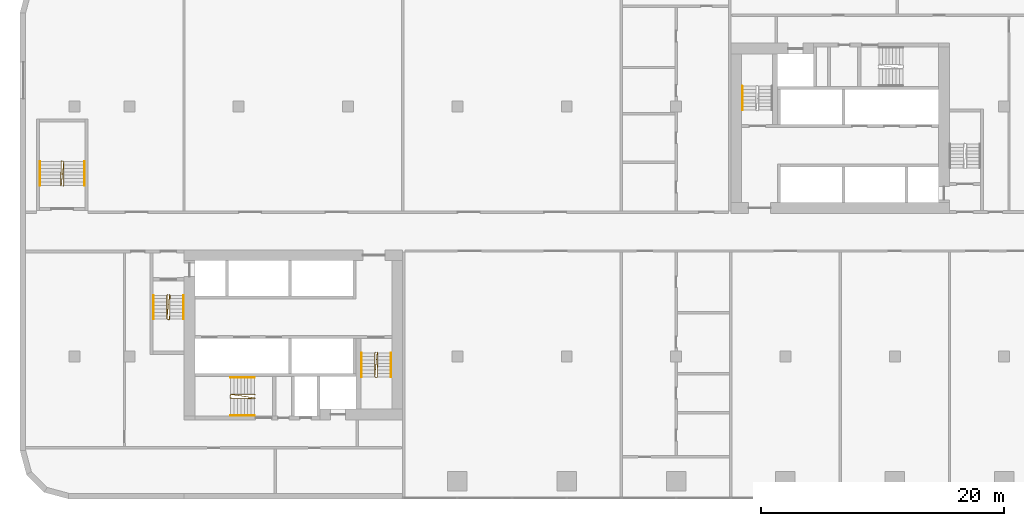
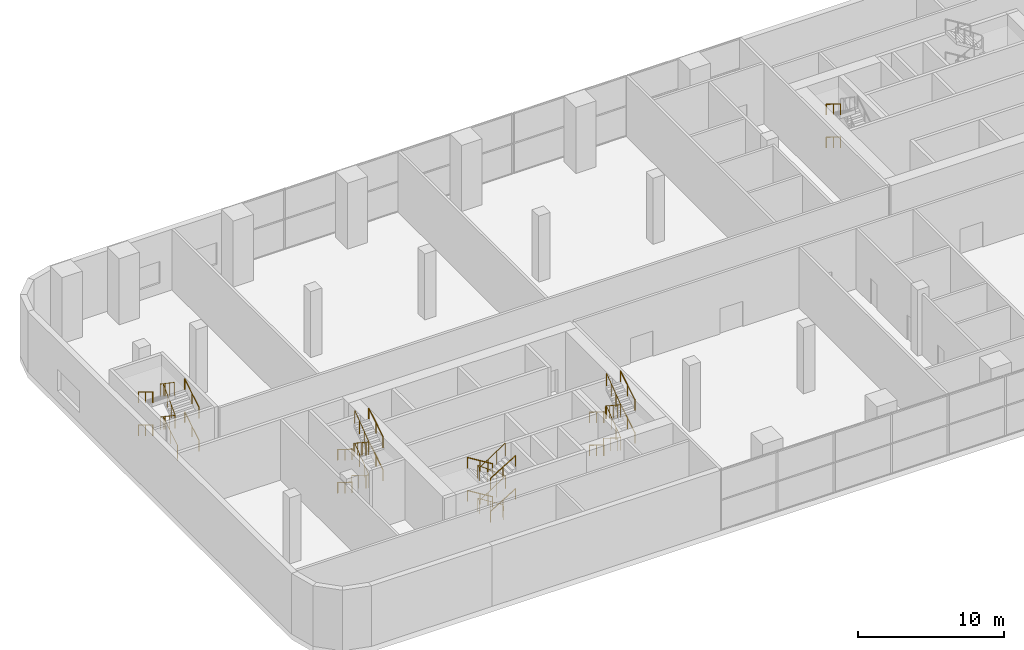
# One storey, part 20 of 21: 22 railings.
"""IFC4 building model written with IfcOpenShell, lengths in metres."""

import ifcopenshell
import ifcopenshell.guid

model = None  # the IFC model being written
_history = None  # IfcOwnerHistory: only IFC2X3 demands one
_inside = {}  # id of a spatial element -> (the spatial element, [elements in it])
_under = {}  # id of a project, library or spatial element -> (it, [spatial elements below it])
_declared = {}  # id of a project -> (the project, [libraries it declares])
_typed = {}  # id of a type object -> (the type object, [elements of that type])
_made_of = {}  # id of a material, layer set ... -> (it, [elements and type objects made of it])


def new_model(schema):
    """Start an empty IFC model of exactly this schema.

    Asked for "IFC4X3", IfcOpenShell would pick the latest addendum, in which some entities
    have other attributes; the version numbers below select the first issue.
    IFC2X3 requires an IfcOwnerHistory on every rooted entity: one is made here for all.
    """
    global model, _history
    if schema == "IFC4X3":
        model = ifcopenshell.file(schema_version=(4, 3, 0, 0))
    else:
        model = ifcopenshell.file(schema=schema)
    _inside.clear()
    _under.clear()
    _declared.clear()
    _typed.clear()
    _made_of.clear()
    _history = None
    if model.schema == "IFC2X3":
        org = make("IfcOrganization", Name="unknown")
        user = make(
            "IfcPersonAndOrganization",
            ThePerson=make("IfcPerson", FamilyName="unknown"),
            TheOrganization=org,
        )
        app = make(
            "IfcApplication",
            ApplicationDeveloper=org,
            Version="unknown",
            ApplicationFullName="unknown",
            ApplicationIdentifier="unknown",
        )
        _history = make(
            "IfcOwnerHistory",
            OwningUser=user,
            OwningApplication=app,
            ChangeAction="ADDED",
            CreationDate=0,
        )
    return model


def make(cls, **values):
    """One entity of the class cls with the attributes given. An attribute that is None is left unset."""
    return model.create_entity(
        cls, **{name: value for name, value in values.items() if value is not None}
    )


def rooted(cls, **values):
    """An entity with a GlobalId (a new one), such as an element, a storey or a relation."""
    return make(cls, GlobalId=ifcopenshell.guid.new(), OwnerHistory=_history, **values)


def si_unit(unit_type, name, prefix=None):
    """IfcSIUnit, for example si_unit("LENGTHUNIT", "METRE", prefix="MILLI")."""
    return make("IfcSIUnit", UnitType=unit_type, Prefix=prefix, Name=name)


def assignment(units):
    """IfcUnitAssignment: the units of a project."""
    return None if units is None else make("IfcUnitAssignment", Units=units)


def point(xyz):
    """IfcCartesianPoint."""
    return None if xyz is None else make("IfcCartesianPoint", Coordinates=xyz)


def direction(xyz):
    """IfcDirection."""
    return None if xyz is None else make("IfcDirection", DirectionRatios=xyz)


def frame(location, z_axis=None, x_axis=None):
    """IfcAxis2Placement3D, a coordinate frame: its origin and axes. An axis left out is left unset."""
    return make(
        "IfcAxis2Placement3D",
        Location=point(location),
        Axis=direction(z_axis),
        RefDirection=direction(x_axis),
    )


def frame_2d(location, x_axis=None):
    """IfcAxis2Placement2D, a coordinate frame in the plane: its origin and x axis."""
    return make(
        "IfcAxis2Placement2D", Location=point(location), RefDirection=direction(x_axis)
    )


def origin():
    """The frame at (0, 0, 0) with its axes left unset."""
    return frame((0.0, 0.0, 0.0))


def origin_2d():
    """The frame at (0, 0) in the plane with its x axis left unset."""
    return frame_2d((0.0, 0.0))


def place(relative_to, where):
    """IfcLocalPlacement: puts the frame where relative to a parent placement (None: the world)."""
    return make(
        "IfcLocalPlacement", PlacementRelTo=relative_to, RelativePlacement=where
    )


def context(
    kind, dimensions, precision=None, world=None, true_north=None, identifier=None
):
    """IfcGeometricRepresentationContext, for example the 3D "Model" context."""
    return make(
        "IfcGeometricRepresentationContext",
        ContextIdentifier=identifier,
        ContextType=kind,
        CoordinateSpaceDimension=dimensions,
        Precision=precision,
        WorldCoordinateSystem=world,
        TrueNorth=true_north,
    )


def subcontext(parent, identifier, kind, view, scale=None):
    """IfcGeometricRepresentationSubContext, for example "Body" below "Model"."""
    return make(
        "IfcGeometricRepresentationSubContext",
        ContextIdentifier=identifier,
        ContextType=kind,
        ParentContext=parent,
        TargetScale=scale,
        TargetView=view,
    )


def project(units=None, contexts=None):
    """IfcProject with its units and contexts."""
    return rooted(
        "IfcProject",
        Name="project",
        RepresentationContexts=contexts,
        UnitsInContext=assignment(units),
    )


def spatial(cls, under=None, at=None, **own):
    """A site, building, storey or space (cls), placed at a placement, below another one or the project."""
    s = rooted(cls, ObjectPlacement=at, **own)
    if under is not None:
        _under.setdefault(under.id(), (under, []))[1].append(s)
    return s


def profile(cls, at=None, kind="AREA", **sizes):
    """A parametric profile (cls). Its sizes go by their IFC names, for example OverallWidth=200.0."""
    return make(cls, ProfileType=kind, Position=at, **sizes)


def circle(**sizes):
    """IfcCircleProfileDef."""
    return profile("IfcCircleProfileDef", **sizes)


def extrude(swept, where, along, depth):
    """IfcExtrudedAreaSolid: the profile swept, set in the frame where, extruded along a direction by depth."""
    return make(
        "IfcExtrudedAreaSolid",
        SweptArea=swept,
        Position=where,
        ExtrudedDirection=direction(along),
        Depth=depth,
    )


def shape(context_of_items, identifier, shape_type, items):
    """IfcShapeRepresentation: the items that make up one representation, for example the "Body"."""
    return make(
        "IfcShapeRepresentation",
        ContextOfItems=context_of_items,
        RepresentationIdentifier=identifier,
        RepresentationType=shape_type,
        Items=items,
    )


def material(Name=None, Category=None):
    """IfcMaterial."""
    return make("IfcMaterial", Name=Name, Category=Category)


def made_of(thing, what):
    """Note that an element or type object is made of a material, layer set ...; save() writes the relation."""
    if what is not None:
        _made_of.setdefault(what.id(), (what, []))[1].append(thing)
    return thing


def type_object(cls, material=None, **own):
    """A type object (cls), such as IfcWallType, which elements share."""
    return made_of(rooted(cls, **own), material)


def element(
    cls,
    number,
    at=None,
    inside=None,
    cuts=None,
    type_object=None,
    material=None,
    context=None,
    identifier="Body",
    shape_type=None,
    held_by="IfcProductDefinitionShape",
    body=None,
    shapes=None,
    **own,
):
    """One element of the class cls, such as IfcWall. Its Tag is "e" and its number.

    at: its placement. inside: the storey or other place that contains it. cuts: it is an
    opening in that element (IfcRelVoidsElement). A single representation is given by context,
    identifier, shape_type and body (its items); several are given by shapes. held_by: the class
    of the entity that holds the representations. save() writes the other relations.
    """
    e = rooted(cls, Tag="e%d" % number, ObjectPlacement=at, **own)
    if body is not None:
        shapes = [shape(context, identifier, shape_type, body)]
    if shapes is not None:
        e.Representation = make(held_by, Representations=shapes)
    if inside is not None:
        _inside.setdefault(inside.id(), (inside, []))[1].append(e)
    if cuts is not None:
        rooted(
            "IfcRelVoidsElement", RelatingBuildingElement=cuts, RelatedOpeningElement=e
        )
    if type_object is not None:
        _typed.setdefault(type_object.id(), (type_object, []))[1].append(e)
    return made_of(e, material)


def aggregate(whole, parts):
    """IfcRelAggregates: a whole, such as a stair, and the parts it consists of."""
    return rooted("IfcRelAggregates", RelatingObject=whole, RelatedObjects=parts)


def save(model, path):
    """Write the relations noted so far, then the file.

    IfcRelAggregates (storeys below a building ...), IfcRelContainedInSpatialStructure (elements
    in a storey), IfcRelDefinesByType, IfcRelAssociatesMaterial and IfcRelDeclares: one each for
    every whole, place, type object, material and project.
    """
    for whole, parts in _under.values():
        aggregate(whole, parts)
    for where, things in _inside.values():
        rooted(
            "IfcRelContainedInSpatialStructure",
            RelatedElements=things,
            RelatingStructure=where,
        )
    for kind, things in _typed.values():
        rooted("IfcRelDefinesByType", RelatedObjects=things, RelatingType=kind)
    for what, things in _made_of.values():
        rooted("IfcRelAssociatesMaterial", RelatedObjects=things, RelatingMaterial=what)
    for by, libraries in _declared.values():
        rooted("IfcRelDeclares", RelatingContext=by, RelatedDefinitions=libraries)
    model.write(path)


model = new_model("IFC4")

# Units and contexts
model_context = context("Model", 3, precision=1e-05, world=origin(), true_north=direction((0.0, 1.0)))
body_context = subcontext(model_context, "Body", "Model", "MODEL_VIEW")
ifc_project = project(units=[si_unit("LENGTHUNIT", "METRE"), si_unit("AREAUNIT", "SQUARE_METRE"), si_unit("VOLUMEUNIT", "CUBIC_METRE"), si_unit("PLANEANGLEUNIT", "RADIAN"), si_unit("MASSUNIT", "GRAM", prefix="KILO")], contexts=[model_context])

# Site, building, storey
site_placement = place(None, origin())
site = spatial("IfcSite", under=ifc_project, at=site_placement, CompositionType="ELEMENT")
building_placement = place(site_placement, origin())
building = spatial("IfcBuilding", under=site, at=building_placement, Name="Kajstack Hotel Tower", CompositionType="ELEMENT")
storey_placement = place(building_placement, frame((0.0, 0.0, 23.5)))
storey = spatial("IfcBuildingStorey", under=building, at=storey_placement, Name="L03", CompositionType="ELEMENT", Elevation=23.5)

# Railings
ifc_material = material(Name="Steel S355J2", Category="steel")
railing_type_1 = type_object("IfcRailingType", Name="Stair guard 1100", PredefinedType="GUARDRAIL", material=ifc_material)
railing_1_placement = place(storey_placement, frame((-32.85009765625, -5.199951171875, 0.0)))
element("IfcRailing", 1, at=railing_1_placement, inside=storey, type_object=railing_type_1, Name="L03 W1 stair guard 1", PredefinedType="GUARDRAIL", context=body_context, shape_type="SweptSolid", body=[
    extrude(circle(Radius=0.02392578125, at=origin_2d()), frame((0.0, 0.0, 1.076171875), z_axis=(-0.268036860282, -0.26935076646, 0.924989949209), x_axis=(0.708833529934, -0.705375805398, 0.0)), (0.0, 0.0, 1.0), 0.185791015625),
    extrude(circle(Radius=0.02392578125, at=origin_2d()), frame((-0.0498046875, -0.050048828125, 1.248046875), z_axis=(0.0, -0.852240978134, 0.523149419562), x_axis=(1.0, 0.0, 0.0)), (0.0, 0.0, 1.0), 2.2998046875),
    extrude(circle(Radius=0.02392578125, at=origin_2d()), frame((-0.0498046875, -2.010009765625, 2.451171875), z_axis=(0.970072785993, -0.242814311512, 0.0), x_axis=(0.242814311512, 0.970072785993, 0.0)), (0.0, 0.0, 1.0), 0.2060546875),
    extrude(circle(Radius=0.02392578125, at=origin_2d()), frame((0.150146484375, -2.06005859375, 2.451171875), z_axis=(0.0205469275, 0.825184654201, 0.564489247232), x_axis=(-0.999690144217, 0.024892078169, 0.0)), (0.0, 0.0, 1.0), 2.435791015625),
    extrude(circle(Radius=0.02392578125, at=origin_2d()), frame((0.2001953125, -0.050048828125, 3.826171875), z_axis=(-0.707106781187, 0.707106781187, 0.0), x_axis=(-0.707106781187, -0.707106781187, 0.0)), (0.0, 0.0, 1.0), 0.07080078125),
    extrude(circle(Radius=0.02392578125, at=origin_2d()), frame((0.150146484375, 0.0, 3.826171875), z_axis=(-0.081829463127, -0.822590927871, 0.562714940577), x_axis=(0.995088514891, -0.098989128349, 0.0)), (0.0, 0.0, 1.0), 2.443603515625),
    extrude(circle(Radius=0.02392578125, at=origin_2d()), frame((-0.0498046875, -2.010009765625, 5.201171875), z_axis=(0.970072785993, -0.242814311512, 0.0), x_axis=(0.242814311512, 0.970072785993, 0.0)), (0.0, 0.0, 1.0), 0.2060546875),
    extrude(circle(Radius=0.02392578125, at=origin_2d()), frame((0.150146484375, -2.06005859375, 5.201171875), z_axis=(0.0205469275, 0.825184654201, 0.564489247232), x_axis=(-0.999690144217, 0.024892078169, 0.0)), (0.0, 0.0, 1.0), 2.435791015625),
    extrude(circle(Radius=0.02099609375, at=origin_2d()), origin(), (0.0, 0.0, 1.0), 1.052001953125),
    extrude(circle(Radius=0.02099609375, at=origin_2d()), frame((-0.0498046875, -0.050048828125, 0.171875)), (0.0, 0.0, 1.0), 1.052001953125),
    extrude(circle(Radius=0.02099609375, at=origin_2d()), frame((-0.0498046875, -1.030029296875, 0.7734375)), (0.0, 0.0, 1.0), 1.052001953125),
    extrude(circle(Radius=0.02099609375, at=origin_2d()), frame((-0.0498046875, -2.010009765625, 1.375)), (0.0, 0.0, 1.0), 1.052001953125),
    extrude(circle(Radius=0.02099609375, at=origin_2d()), frame((0.150146484375, -2.06005859375, 1.375)), (0.0, 0.0, 1.0), 1.052001953125),
    extrude(circle(Radius=0.02099609375, at=origin_2d()), frame((0.166748046875, -1.39013671875, 1.833251953125)), (0.0, 0.0, 1.0), 1.052001953125),
    extrude(circle(Radius=0.02099609375, at=origin_2d()), frame((0.18359375, -0.719970703125, 2.291748046875)), (0.0, 0.0, 1.0), 1.052001953125),
    extrude(circle(Radius=0.02099609375, at=origin_2d()), frame((0.2001953125, -0.050048828125, 2.75)), (0.0, 0.0, 1.0), 1.052001953125),
    extrude(circle(Radius=0.02099609375, at=origin_2d()), frame((0.150146484375, 0.0, 2.75)), (0.0, 0.0, 1.0), 1.052001953125),
    extrude(circle(Radius=0.02099609375, at=origin_2d()), frame((0.08349609375, -0.669921875, 3.208251953125)), (0.0, 0.0, 1.0), 1.052001953125),
    extrude(circle(Radius=0.02099609375, at=origin_2d()), frame((0.016845703125, -1.340087890625, 3.666748046875)), (0.0, 0.0, 1.0), 1.052001953125),
    extrude(circle(Radius=0.02099609375, at=origin_2d()), frame((-0.0498046875, -2.010009765625, 4.125)), (0.0, 0.0, 1.0), 1.052001953125),
    extrude(circle(Radius=0.02099609375, at=origin_2d()), frame((0.150146484375, -2.06005859375, 4.125)), (0.0, 0.0, 1.0), 1.052001953125),
    extrude(circle(Radius=0.02099609375, at=origin_2d()), frame((0.166748046875, -1.39013671875, 4.583251953125)), (0.0, 0.0, 1.0), 1.052001953125),
    extrude(circle(Radius=0.02099609375, at=origin_2d()), frame((0.18359375, -0.719970703125, 5.041748046875)), (0.0, 0.0, 1.0), 1.052001953125),
    extrude(circle(Radius=0.02099609375, at=origin_2d()), frame((0.2001953125, -0.050048828125, 5.5)), (0.0, 0.0, 1.0), 1.052001953125),
])
railing_2_placement = place(storey_placement, frame((-15.75, -9.949951171875, 0.0)))
element("IfcRailing", 2, at=railing_2_placement, inside=storey, type_object=railing_type_1, Name="L03 W2 stair guard 1", PredefinedType="GUARDRAIL", context=body_context, shape_type="SweptSolid", body=[
    extrude(circle(Radius=0.02392578125, at=origin_2d()), frame((0.0, 0.0, 1.076171875), z_axis=(-0.269255725606, -0.269255725606, 0.92466356501), x_axis=(0.707106781187, -0.707106781187, 0.0)), (0.0, 0.0, 1.0), 0.185791015625),
    extrude(circle(Radius=0.02392578125, at=origin_2d()), frame((-0.050048828125, -0.050048828125, 1.248046875), z_axis=(0.0, -0.852240978134, 0.523149419562), x_axis=(1.0, 0.0, 0.0)), (0.0, 0.0, 1.0), 2.2998046875),
    extrude(circle(Radius=0.02392578125, at=origin_2d()), frame((-0.050048828125, -2.010009765625, 2.451171875), z_axis=(0.970072785993, -0.242814311512, 0.0), x_axis=(0.242814311512, 0.970072785993, 0.0)), (0.0, 0.0, 1.0), 0.2060546875),
    extrude(circle(Radius=0.02392578125, at=origin_2d()), frame((0.14990234375, -2.06005859375, 2.451171875), z_axis=(0.0205469275, 0.825184654201, 0.564489247232), x_axis=(-0.999690144217, 0.024892078169, 0.0)), (0.0, 0.0, 1.0), 2.435791015625),
    extrude(circle(Radius=0.02392578125, at=origin_2d()), frame((0.199951171875, -0.050048828125, 3.826171875), z_axis=(-0.707106781187, 0.707106781187, 0.0), x_axis=(-0.707106781187, -0.707106781187, 0.0)), (0.0, 0.0, 1.0), 0.07080078125),
    extrude(circle(Radius=0.02392578125, at=origin_2d()), frame((0.14990234375, 0.0, 3.826171875), z_axis=(-0.081829463127, -0.822590927871, 0.562714940577), x_axis=(0.995088514891, -0.098989128349, 0.0)), (0.0, 0.0, 1.0), 2.443603515625),
    extrude(circle(Radius=0.02392578125, at=origin_2d()), frame((-0.050048828125, -2.010009765625, 5.201171875), z_axis=(0.970072785993, -0.242814311512, 0.0), x_axis=(0.242814311512, 0.970072785993, 0.0)), (0.0, 0.0, 1.0), 0.2060546875),
    extrude(circle(Radius=0.02392578125, at=origin_2d()), frame((0.14990234375, -2.06005859375, 5.201171875), z_axis=(0.0205469275, 0.825184654201, 0.564489247232), x_axis=(-0.999690144217, 0.024892078169, 0.0)), (0.0, 0.0, 1.0), 2.435791015625),
    extrude(circle(Radius=0.02099609375, at=origin_2d()), origin(), (0.0, 0.0, 1.0), 1.052001953125),
    extrude(circle(Radius=0.02099609375, at=origin_2d()), frame((-0.050048828125, -0.050048828125, 0.171875)), (0.0, 0.0, 1.0), 1.052001953125),
    extrude(circle(Radius=0.02099609375, at=origin_2d()), frame((-0.050048828125, -1.030029296875, 0.7734375)), (0.0, 0.0, 1.0), 1.052001953125),
    extrude(circle(Radius=0.02099609375, at=origin_2d()), frame((-0.050048828125, -2.010009765625, 1.375)), (0.0, 0.0, 1.0), 1.052001953125),
    extrude(circle(Radius=0.02099609375, at=origin_2d()), frame((0.14990234375, -2.06005859375, 1.375)), (0.0, 0.0, 1.0), 1.052001953125),
    extrude(circle(Radius=0.02099609375, at=origin_2d()), frame((0.16650390625, -1.39013671875, 1.833251953125)), (0.0, 0.0, 1.0), 1.052001953125),
    extrude(circle(Radius=0.02099609375, at=origin_2d()), frame((0.183349609375, -0.719970703125, 2.291748046875)), (0.0, 0.0, 1.0), 1.052001953125),
    extrude(circle(Radius=0.02099609375, at=origin_2d()), frame((0.199951171875, -0.050048828125, 2.75)), (0.0, 0.0, 1.0), 1.052001953125),
    extrude(circle(Radius=0.02099609375, at=origin_2d()), frame((0.14990234375, 0.0, 2.75)), (0.0, 0.0, 1.0), 1.052001953125),
    extrude(circle(Radius=0.02099609375, at=origin_2d()), frame((0.083251953125, -0.669921875, 3.208251953125)), (0.0, 0.0, 1.0), 1.052001953125),
    extrude(circle(Radius=0.02099609375, at=origin_2d()), frame((0.0166015625, -1.340087890625, 3.666748046875)), (0.0, 0.0, 1.0), 1.052001953125),
    extrude(circle(Radius=0.02099609375, at=origin_2d()), frame((-0.050048828125, -2.010009765625, 4.125)), (0.0, 0.0, 1.0), 1.052001953125),
    extrude(circle(Radius=0.02099609375, at=origin_2d()), frame((0.14990234375, -2.06005859375, 4.125)), (0.0, 0.0, 1.0), 1.052001953125),
    extrude(circle(Radius=0.02099609375, at=origin_2d()), frame((0.16650390625, -1.39013671875, 4.583251953125)), (0.0, 0.0, 1.0), 1.052001953125),
    extrude(circle(Radius=0.02099609375, at=origin_2d()), frame((0.183349609375, -0.719970703125, 5.041748046875)), (0.0, 0.0, 1.0), 1.052001953125),
    extrude(circle(Radius=0.02099609375, at=origin_2d()), frame((0.199951171875, -0.050048828125, 5.5)), (0.0, 0.0, 1.0), 1.052001953125),
])
railing_3_placement = place(storey_placement, frame((-25.64990234375, -13.449951171875, 0.0)))
element("IfcRailing", 3, at=railing_3_placement, inside=storey, type_object=railing_type_1, Name="L03 W3 stair guard 1", PredefinedType="GUARDRAIL", context=body_context, shape_type="SweptSolid", body=[
    extrude(circle(Radius=0.02392578125, at=origin_2d()), frame((0.0, 0.0, 1.076171875), z_axis=(-0.269255725606, 0.269255725606, 0.92466356501), x_axis=(-0.707106781187, -0.707106781187, 0.0)), (0.0, 0.0, 1.0), 0.185791015625),
    extrude(circle(Radius=0.02392578125, at=origin_2d()), frame((-0.050048828125, 0.050048828125, 1.248046875), z_axis=(-0.852240978134, 0.0, 0.523149419562), x_axis=(0.0, -1.0, 0.0)), (0.0, 0.0, 1.0), 2.2998046875),
    extrude(circle(Radius=0.02392578125, at=origin_2d()), frame((-2.010009765625, 0.050048828125, 2.451171875), z_axis=(-0.164529134168, -0.986372223864, 0.0), x_axis=(0.986372223864, -0.164529134168, 0.0)), (0.0, 0.0, 1.0), 0.30419921875),
    extrude(circle(Radius=0.02392578125, at=origin_2d()), frame((-2.06005859375, -0.25, 2.451171875), z_axis=(0.825184654201, -0.0205469275, 0.564489247232), x_axis=(0.024892078169, 0.999690144217, 0.0)), (0.0, 0.0, 1.0), 2.435791015625),
    extrude(circle(Radius=0.02392578125, at=origin_2d()), frame((-0.050048828125, -0.300048828125, 3.826171875), z_axis=(0.707106781187, 0.707106781187, 0.0), x_axis=(-0.707106781187, 0.707106781187, 0.0)), (0.0, 0.0, 1.0), 0.07080078125),
    extrude(circle(Radius=0.02392578125, at=origin_2d()), frame((0.0, -0.25, 3.826171875), z_axis=(-0.819164832413, 0.122282713353, 0.560371229947), x_axis=(-0.147641363338, -0.989040963677, 0.0)), (0.0, 0.0, 1.0), 2.45361328125),
    extrude(circle(Radius=0.02392578125, at=origin_2d()), frame((-2.010009765625, 0.050048828125, 5.201171875), z_axis=(-0.164529134168, -0.986372223864, 0.0), x_axis=(0.986372223864, -0.164529134168, 0.0)), (0.0, 0.0, 1.0), 0.30419921875),
    extrude(circle(Radius=0.02392578125, at=origin_2d()), frame((-2.06005859375, -0.25, 5.201171875), z_axis=(0.825184654201, -0.0205469275, 0.564489247232), x_axis=(0.024892078169, 0.999690144217, 0.0)), (0.0, 0.0, 1.0), 2.435791015625),
    extrude(circle(Radius=0.02099609375, at=origin_2d()), origin(), (0.0, 0.0, 1.0), 1.052001953125),
    extrude(circle(Radius=0.02099609375, at=origin_2d()), frame((-0.050048828125, 0.050048828125, 0.171875)), (0.0, 0.0, 1.0), 1.052001953125),
    extrude(circle(Radius=0.02099609375, at=origin_2d()), frame((-1.030029296875, 0.050048828125, 0.7734375)), (0.0, 0.0, 1.0), 1.052001953125),
    extrude(circle(Radius=0.02099609375, at=origin_2d()), frame((-2.010009765625, 0.050048828125, 1.375)), (0.0, 0.0, 1.0), 1.052001953125),
    extrude(circle(Radius=0.02099609375, at=origin_2d()), frame((-2.06005859375, -0.25, 1.375)), (0.0, 0.0, 1.0), 1.052001953125),
    extrude(circle(Radius=0.02099609375, at=origin_2d()), frame((-1.39013671875, -0.2666015625, 1.833251953125)), (0.0, 0.0, 1.0), 1.052001953125),
    extrude(circle(Radius=0.02099609375, at=origin_2d()), frame((-0.719970703125, -0.283447265625, 2.291748046875)), (0.0, 0.0, 1.0), 1.052001953125),
    extrude(circle(Radius=0.02099609375, at=origin_2d()), frame((-0.050048828125, -0.300048828125, 2.75)), (0.0, 0.0, 1.0), 1.052001953125),
    extrude(circle(Radius=0.02099609375, at=origin_2d()), frame((0.0, -0.25, 2.75)), (0.0, 0.0, 1.0), 1.052001953125),
    extrude(circle(Radius=0.02099609375, at=origin_2d()), frame((-0.669921875, -0.14990234375, 3.208251953125)), (0.0, 0.0, 1.0), 1.052001953125),
    extrude(circle(Radius=0.02099609375, at=origin_2d()), frame((-1.340087890625, -0.050048828125, 3.666748046875)), (0.0, 0.0, 1.0), 1.052001953125),
    extrude(circle(Radius=0.02099609375, at=origin_2d()), frame((-2.010009765625, 0.050048828125, 4.125)), (0.0, 0.0, 1.0), 1.052001953125),
    extrude(circle(Radius=0.02099609375, at=origin_2d()), frame((-2.06005859375, -0.25, 4.125)), (0.0, 0.0, 1.0), 1.052001953125),
    extrude(circle(Radius=0.02099609375, at=origin_2d()), frame((-1.39013671875, -0.2666015625, 4.583251953125)), (0.0, 0.0, 1.0), 1.052001953125),
    extrude(circle(Radius=0.02099609375, at=origin_2d()), frame((-0.719970703125, -0.283447265625, 5.041748046875)), (0.0, 0.0, 1.0), 1.052001953125),
    extrude(circle(Radius=0.02099609375, at=origin_2d()), frame((-0.050048828125, -0.300048828125, 5.5)), (0.0, 0.0, 1.0), 1.052001953125),
])
railing_4_placement = place(storey_placement, frame((-41.449951171875, 3.75, 0.0)))
element("IfcRailing", 4, at=railing_4_placement, inside=storey, type_object=railing_type_1, Name="L03 P1 stair guard 1", PredefinedType="GUARDRAIL", context=body_context, shape_type="SweptSolid", body=[
    extrude(circle(Radius=0.02392578125, at=origin_2d()), frame((0.0, 0.0, 1.076171875), z_axis=(0.269255725606, 0.269255725606, 0.92466356501), x_axis=(-0.707106781187, 0.707106781187, 0.0)), (0.0, 0.0, 1.0), 0.185791015625),
    extrude(circle(Radius=0.02392578125, at=origin_2d()), frame((0.050048828125, 0.050048828125, 1.248046875), z_axis=(0.0, 0.852240978134, 0.523149419562), x_axis=(-1.0, 0.0, 0.0)), (0.0, 0.0, 1.0), 2.2998046875),
    extrude(circle(Radius=0.02392578125, at=origin_2d()), frame((0.050048828125, 2.010009765625, 2.451171875), z_axis=(-0.970142500145, 0.242535625036, 0.0), x_axis=(-0.242535625036, -0.970142500145, 0.0)), (0.0, 0.0, 1.0), 0.206298828125),
    extrude(circle(Radius=0.02392578125, at=origin_2d()), frame((-0.150146484375, 2.06005859375, 2.451171875), z_axis=(-0.020446740591, -0.825186349444, 0.564490406907), x_axis=(0.999693158439, -0.024770728085, 0.0)), (0.0, 0.0, 1.0), 2.435791015625),
    extrude(circle(Radius=0.02392578125, at=origin_2d()), frame((-0.199951171875, 0.050048828125, 3.826171875), z_axis=(0.705375805398, -0.708833529934, 0.0), x_axis=(0.708833529934, 0.705375805398, 0.0)), (0.0, 0.0, 1.0), 0.070556640625),
    extrude(circle(Radius=0.02392578125, at=origin_2d()), frame((-0.150146484375, 0.0, 3.826171875), z_axis=(0.081928706755, 0.822584198428, 0.562710337124), x_axis=(-0.995076602195, 0.099108807701, 0.0)), (0.0, 0.0, 1.0), 2.443603515625),
    extrude(circle(Radius=0.02392578125, at=origin_2d()), frame((0.050048828125, 2.010009765625, 5.201171875), z_axis=(-0.970142500145, 0.242535625036, 0.0), x_axis=(-0.242535625036, -0.970142500145, 0.0)), (0.0, 0.0, 1.0), 0.206298828125),
    extrude(circle(Radius=0.02392578125, at=origin_2d()), frame((-0.150146484375, 2.06005859375, 5.201171875), z_axis=(-0.020446740591, -0.825186349444, 0.564490406907), x_axis=(0.999693158439, -0.024770728085, 0.0)), (0.0, 0.0, 1.0), 2.435791015625),
    extrude(circle(Radius=0.02099609375, at=origin_2d()), origin(), (0.0, 0.0, 1.0), 1.052001953125),
    extrude(circle(Radius=0.02099609375, at=origin_2d()), frame((0.050048828125, 0.050048828125, 0.171875)), (0.0, 0.0, 1.0), 1.052001953125),
    extrude(circle(Radius=0.02099609375, at=origin_2d()), frame((0.050048828125, 1.030029296875, 0.7734375)), (0.0, 0.0, 1.0), 1.052001953125),
    extrude(circle(Radius=0.02099609375, at=origin_2d()), frame((0.050048828125, 2.010009765625, 1.375)), (0.0, 0.0, 1.0), 1.052001953125),
    extrude(circle(Radius=0.02099609375, at=origin_2d()), frame((-0.150146484375, 2.06005859375, 1.375)), (0.0, 0.0, 1.0), 1.052001953125),
    extrude(circle(Radius=0.02099609375, at=origin_2d()), frame((-0.166748046875, 1.39013671875, 1.833251953125)), (0.0, 0.0, 1.0), 1.052001953125),
    extrude(circle(Radius=0.02099609375, at=origin_2d()), frame((-0.183349609375, 0.719970703125, 2.291748046875)), (0.0, 0.0, 1.0), 1.052001953125),
    extrude(circle(Radius=0.02099609375, at=origin_2d()), frame((-0.199951171875, 0.050048828125, 2.75)), (0.0, 0.0, 1.0), 1.052001953125),
    extrude(circle(Radius=0.02099609375, at=origin_2d()), frame((-0.150146484375, 0.0, 2.75)), (0.0, 0.0, 1.0), 1.052001953125),
    extrude(circle(Radius=0.02099609375, at=origin_2d()), frame((-0.08349609375, 0.669921875, 3.208251953125)), (0.0, 0.0, 1.0), 1.052001953125),
    extrude(circle(Radius=0.02099609375, at=origin_2d()), frame((-0.0166015625, 1.340087890625, 3.666748046875)), (0.0, 0.0, 1.0), 1.052001953125),
    extrude(circle(Radius=0.02099609375, at=origin_2d()), frame((0.050048828125, 2.010009765625, 4.125)), (0.0, 0.0, 1.0), 1.052001953125),
    extrude(circle(Radius=0.02099609375, at=origin_2d()), frame((-0.150146484375, 2.06005859375, 4.125)), (0.0, 0.0, 1.0), 1.052001953125),
    extrude(circle(Radius=0.02099609375, at=origin_2d()), frame((-0.166748046875, 1.39013671875, 4.583251953125)), (0.0, 0.0, 1.0), 1.052001953125),
    extrude(circle(Radius=0.02099609375, at=origin_2d()), frame((-0.183349609375, 0.719970703125, 5.041748046875)), (0.0, 0.0, 1.0), 1.052001953125),
    extrude(circle(Radius=0.02099609375, at=origin_2d()), frame((-0.199951171875, 0.050048828125, 5.5)), (0.0, 0.0, 1.0), 1.052001953125),
])
railing_type_2 = type_object("IfcRailingType", Name="Stair handrail 900", PredefinedType="HANDRAIL", material=ifc_material)
railing_5_placement = place(storey_placement, frame((-34.0, -5.25, 0.171875)))
element("IfcRailing", 5, at=railing_5_placement, inside=storey, type_object=railing_type_2, Name="L03 W1 stair handrail 1", PredefinedType="HANDRAIL", context=body_context, shape_type="SweptSolid", body=[
    extrude(circle(Radius=0.02392578125, at=origin_2d()), frame((0.0, 0.0, 0.8759765625), z_axis=(0.0, -0.852240978134, 0.523149419562), x_axis=(1.0, 0.0, 0.0)), (0.0, 0.0, 1.0), 2.2998046875),
    extrude(circle(Radius=0.02099609375, at=origin_2d()), origin(), (0.0, 0.0, 1.0), 0.851806640625),
    extrude(circle(Radius=0.02099609375, at=origin_2d()), frame((0.0, -0.97998046875, 0.6015625)), (0.0, 0.0, 1.0), 0.851806640625),
    extrude(circle(Radius=0.02099609375, at=origin_2d()), frame((0.0, -1.9599609375, 1.203125)), (0.0, 0.0, 1.0), 0.851806640625),
])
railing_6_placement = place(storey_placement, frame((-31.550048828125, -7.2099609375, 1.546875)))
element("IfcRailing", 6, at=railing_6_placement, inside=storey, type_object=railing_type_2, Name="L03 W1 stair handrail 2", PredefinedType="HANDRAIL", context=body_context, shape_type="SweptSolid", body=[
    extrude(circle(Radius=0.02392578125, at=origin_2d()), frame((0.0, 0.0, 0.8759765625), z_axis=(0.0, 0.852240978134, 0.523149419562), x_axis=(-1.0, 0.0, 0.0)), (0.0, 0.0, 1.0), 2.2998046875),
    extrude(circle(Radius=0.02099609375, at=origin_2d()), origin(), (0.0, 0.0, 1.0), 0.851806640625),
    extrude(circle(Radius=0.02099609375, at=origin_2d()), frame((0.0, 0.97998046875, 0.6015625)), (0.0, 0.0, 1.0), 0.851806640625),
    extrude(circle(Radius=0.02099609375, at=origin_2d()), frame((0.0, 1.9599609375, 1.203125)), (0.0, 0.0, 1.0), 0.851806640625),
])
railing_7_placement = place(storey_placement, frame((-34.0, -5.25, 2.921875)))
element("IfcRailing", 7, at=railing_7_placement, inside=storey, type_object=railing_type_2, Name="L03 W1 stair handrail 3", PredefinedType="HANDRAIL", context=body_context, shape_type="SweptSolid", body=[
    extrude(circle(Radius=0.02392578125, at=origin_2d()), frame((0.0, 0.0, 0.8759765625), z_axis=(0.0, -0.852240978134, 0.523149419562), x_axis=(1.0, 0.0, 0.0)), (0.0, 0.0, 1.0), 2.2998046875),
    extrude(circle(Radius=0.02099609375, at=origin_2d()), origin(), (0.0, 0.0, 1.0), 0.851806640625),
    extrude(circle(Radius=0.02099609375, at=origin_2d()), frame((0.0, -0.97998046875, 0.6015625)), (0.0, 0.0, 1.0), 0.851806640625),
    extrude(circle(Radius=0.02099609375, at=origin_2d()), frame((0.0, -1.9599609375, 1.203125)), (0.0, 0.0, 1.0), 0.851806640625),
])
railing_8_placement = place(storey_placement, frame((-31.550048828125, -7.2099609375, 4.296875)))
element("IfcRailing", 8, at=railing_8_placement, inside=storey, type_object=railing_type_2, Name="L03 W1 stair handrail 4", PredefinedType="HANDRAIL", context=body_context, shape_type="SweptSolid", body=[
    extrude(circle(Radius=0.02392578125, at=origin_2d()), frame((0.0, 0.0, 0.8759765625), z_axis=(0.0, 0.852240978134, 0.523149419562), x_axis=(-1.0, 0.0, 0.0)), (0.0, 0.0, 1.0), 2.2998046875),
    extrude(circle(Radius=0.02099609375, at=origin_2d()), origin(), (0.0, 0.0, 1.0), 0.851806640625),
    extrude(circle(Radius=0.02099609375, at=origin_2d()), frame((0.0, 0.97998046875, 0.6015625)), (0.0, 0.0, 1.0), 0.851806640625),
    extrude(circle(Radius=0.02099609375, at=origin_2d()), frame((0.0, 1.9599609375, 1.203125)), (0.0, 0.0, 1.0), 0.851806640625),
])
railing_9_placement = place(storey_placement, frame((-16.89990234375, -10.0, 0.171875)))
element("IfcRailing", 9, at=railing_9_placement, inside=storey, type_object=railing_type_2, Name="L03 W2 stair handrail 1", PredefinedType="HANDRAIL", context=body_context, shape_type="SweptSolid", body=[
    extrude(circle(Radius=0.02392578125, at=origin_2d()), frame((0.0, 0.0, 0.8759765625), z_axis=(0.0, -0.852240978134, 0.523149419562), x_axis=(1.0, 0.0, 0.0)), (0.0, 0.0, 1.0), 2.2998046875),
    extrude(circle(Radius=0.02099609375, at=origin_2d()), origin(), (0.0, 0.0, 1.0), 0.851806640625),
    extrude(circle(Radius=0.02099609375, at=origin_2d()), frame((0.0, -0.97998046875, 0.6015625)), (0.0, 0.0, 1.0), 0.851806640625),
    extrude(circle(Radius=0.02099609375, at=origin_2d()), frame((0.0, -1.9599609375, 1.203125)), (0.0, 0.0, 1.0), 0.851806640625),
])
railing_10_placement = place(storey_placement, frame((-14.449951171875, -11.9599609375, 1.546875)))
element("IfcRailing", 10, at=railing_10_placement, inside=storey, type_object=railing_type_2, Name="L03 W2 stair handrail 2", PredefinedType="HANDRAIL", context=body_context, shape_type="SweptSolid", body=[
    extrude(circle(Radius=0.02392578125, at=origin_2d()), frame((0.0, 0.0, 0.8759765625), z_axis=(0.0, 0.852240978134, 0.523149419562), x_axis=(-1.0, 0.0, 0.0)), (0.0, 0.0, 1.0), 2.2998046875),
    extrude(circle(Radius=0.02099609375, at=origin_2d()), origin(), (0.0, 0.0, 1.0), 0.851806640625),
    extrude(circle(Radius=0.02099609375, at=origin_2d()), frame((0.0, 0.97998046875, 0.6015625)), (0.0, 0.0, 1.0), 0.851806640625),
    extrude(circle(Radius=0.02099609375, at=origin_2d()), frame((0.0, 1.9599609375, 1.203125)), (0.0, 0.0, 1.0), 0.851806640625),
])
railing_11_placement = place(storey_placement, frame((-16.89990234375, -10.0, 2.921875)))
element("IfcRailing", 11, at=railing_11_placement, inside=storey, type_object=railing_type_2, Name="L03 W2 stair handrail 3", PredefinedType="HANDRAIL", context=body_context, shape_type="SweptSolid", body=[
    extrude(circle(Radius=0.02392578125, at=origin_2d()), frame((0.0, 0.0, 0.8759765625), z_axis=(0.0, -0.852240978134, 0.523149419562), x_axis=(1.0, 0.0, 0.0)), (0.0, 0.0, 1.0), 2.2998046875),
    extrude(circle(Radius=0.02099609375, at=origin_2d()), origin(), (0.0, 0.0, 1.0), 0.851806640625),
    extrude(circle(Radius=0.02099609375, at=origin_2d()), frame((0.0, -0.97998046875, 0.6015625)), (0.0, 0.0, 1.0), 0.851806640625),
    extrude(circle(Radius=0.02099609375, at=origin_2d()), frame((0.0, -1.9599609375, 1.203125)), (0.0, 0.0, 1.0), 0.851806640625),
])
railing_12_placement = place(storey_placement, frame((-14.449951171875, -11.9599609375, 4.296875)))
element("IfcRailing", 12, at=railing_12_placement, inside=storey, type_object=railing_type_2, Name="L03 W2 stair handrail 4", PredefinedType="HANDRAIL", context=body_context, shape_type="SweptSolid", body=[
    extrude(circle(Radius=0.02392578125, at=origin_2d()), frame((0.0, 0.0, 0.8759765625), z_axis=(0.0, 0.852240978134, 0.523149419562), x_axis=(-1.0, 0.0, 0.0)), (0.0, 0.0, 1.0), 2.2998046875),
    extrude(circle(Radius=0.02099609375, at=origin_2d()), origin(), (0.0, 0.0, 1.0), 0.851806640625),
    extrude(circle(Radius=0.02099609375, at=origin_2d()), frame((0.0, 0.97998046875, 0.6015625)), (0.0, 0.0, 1.0), 0.851806640625),
    extrude(circle(Radius=0.02099609375, at=origin_2d()), frame((0.0, 1.9599609375, 1.203125)), (0.0, 0.0, 1.0), 0.851806640625),
])
railing_13_placement = place(storey_placement, frame((-25.699951171875, -12.0, 0.171875)))
element("IfcRailing", 13, at=railing_13_placement, inside=storey, type_object=railing_type_2, Name="L03 W3 stair handrail 1", PredefinedType="HANDRAIL", context=body_context, shape_type="SweptSolid", body=[
    extrude(circle(Radius=0.02392578125, at=origin_2d()), frame((0.0, 0.0, 0.8759765625), z_axis=(-0.852240978134, 0.0, 0.523149419562), x_axis=(0.0, -1.0, 0.0)), (0.0, 0.0, 1.0), 2.2998046875),
    extrude(circle(Radius=0.02099609375, at=origin_2d()), origin(), (0.0, 0.0, 1.0), 0.851806640625),
    extrude(circle(Radius=0.02099609375, at=origin_2d()), frame((-0.97998046875, 0.0, 0.6015625)), (0.0, 0.0, 1.0), 0.851806640625),
    extrude(circle(Radius=0.02099609375, at=origin_2d()), frame((-1.9599609375, 0.0, 1.203125)), (0.0, 0.0, 1.0), 0.851806640625),
])
railing_14_placement = place(storey_placement, frame((-27.659912109375, -15.14990234375, 1.546875)))
element("IfcRailing", 14, at=railing_14_placement, inside=storey, type_object=railing_type_2, Name="L03 W3 stair handrail 2", PredefinedType="HANDRAIL", context=body_context, shape_type="SweptSolid", body=[
    extrude(circle(Radius=0.02392578125, at=origin_2d()), frame((0.0, 0.0, 0.8759765625), z_axis=(0.852240978134, 0.0, 0.523149419562), x_axis=(0.0, 1.0, 0.0)), (0.0, 0.0, 1.0), 2.2998046875),
    extrude(circle(Radius=0.02099609375, at=origin_2d()), origin(), (0.0, 0.0, 1.0), 0.851806640625),
    extrude(circle(Radius=0.02099609375, at=origin_2d()), frame((0.97998046875, 0.0, 0.6015625)), (0.0, 0.0, 1.0), 0.851806640625),
    extrude(circle(Radius=0.02099609375, at=origin_2d()), frame((1.9599609375, 0.0, 1.203125)), (0.0, 0.0, 1.0), 0.851806640625),
])
railing_15_placement = place(storey_placement, frame((-25.699951171875, -12.0, 2.921875)))
element("IfcRailing", 15, at=railing_15_placement, inside=storey, type_object=railing_type_2, Name="L03 W3 stair handrail 3", PredefinedType="HANDRAIL", context=body_context, shape_type="SweptSolid", body=[
    extrude(circle(Radius=0.02392578125, at=origin_2d()), frame((0.0, 0.0, 0.8759765625), z_axis=(-0.852240978134, 0.0, 0.523149419562), x_axis=(0.0, -1.0, 0.0)), (0.0, 0.0, 1.0), 2.2998046875),
    extrude(circle(Radius=0.02099609375, at=origin_2d()), origin(), (0.0, 0.0, 1.0), 0.851806640625),
    extrude(circle(Radius=0.02099609375, at=origin_2d()), frame((-0.97998046875, 0.0, 0.6015625)), (0.0, 0.0, 1.0), 0.851806640625),
    extrude(circle(Radius=0.02099609375, at=origin_2d()), frame((-1.9599609375, 0.0, 1.203125)), (0.0, 0.0, 1.0), 0.851806640625),
])
railing_16_placement = place(storey_placement, frame((-27.659912109375, -15.14990234375, 4.296875)))
element("IfcRailing", 16, at=railing_16_placement, inside=storey, type_object=railing_type_2, Name="L03 W3 stair handrail 4", PredefinedType="HANDRAIL", context=body_context, shape_type="SweptSolid", body=[
    extrude(circle(Radius=0.02392578125, at=origin_2d()), frame((0.0, 0.0, 0.8759765625), z_axis=(0.852240978134, 0.0, 0.523149419562), x_axis=(0.0, 1.0, 0.0)), (0.0, 0.0, 1.0), 2.2998046875),
    extrude(circle(Radius=0.02099609375, at=origin_2d()), origin(), (0.0, 0.0, 1.0), 0.851806640625),
    extrude(circle(Radius=0.02099609375, at=origin_2d()), frame((0.97998046875, 0.0, 0.6015625)), (0.0, 0.0, 1.0), 0.851806640625),
    extrude(circle(Radius=0.02099609375, at=origin_2d()), frame((1.9599609375, 0.0, 1.203125)), (0.0, 0.0, 1.0), 0.851806640625),
])
for number, where, name in (
    (17, (14.449951171875, 11.9599609375, 1.546875), "L03 E2 stair handrail 2"),
    (18, (14.449951171875, 11.9599609375, 4.296875), "L03 E2 stair handrail 4"),
):
    element("IfcRailing", number, at=place(storey_placement, frame(where)), inside=storey, type_object=railing_type_2, Name=name, PredefinedType="HANDRAIL", context=body_context, shape_type="SweptSolid", body=[
        extrude(circle(Radius=0.02392578125, at=origin_2d()), frame((0.0, 0.0, 0.8759765625), z_axis=(0.0, -0.852240978134, 0.523149419562), x_axis=(1.0, 0.0, 0.0)), (0.0, 0.0, 1.0), 2.2998046875),
        extrude(circle(Radius=0.02099609375, at=origin_2d()), origin(), (0.0, 0.0, 1.0), 0.851806640625),
        extrude(circle(Radius=0.02099609375, at=origin_2d()), frame((0.0, -0.97998046875, 0.6015625)), (0.0, 0.0, 1.0), 0.851806640625),
        extrude(circle(Radius=0.02099609375, at=origin_2d()), frame((0.0, -1.9599609375, 1.203125)), (0.0, 0.0, 1.0), 0.851806640625),
    ])
railing_17_placement = place(storey_placement, frame((-39.699951171875, 3.800048828125, 0.171875)))
element("IfcRailing", 19, at=railing_17_placement, inside=storey, type_object=railing_type_2, Name="L03 P1 stair handrail 1", PredefinedType="HANDRAIL", context=body_context, shape_type="SweptSolid", body=[
    extrude(circle(Radius=0.02392578125, at=origin_2d()), frame((0.0, 0.0, 0.8759765625), z_axis=(0.0, 0.852240978134, 0.523149419562), x_axis=(-1.0, 0.0, 0.0)), (0.0, 0.0, 1.0), 2.2998046875),
    extrude(circle(Radius=0.02099609375, at=origin_2d()), origin(), (0.0, 0.0, 1.0), 0.851806640625),
    extrude(circle(Radius=0.02099609375, at=origin_2d()), frame((0.0, 0.97998046875, 0.6015625)), (0.0, 0.0, 1.0), 0.851806640625),
    extrude(circle(Radius=0.02099609375, at=origin_2d()), frame((0.0, 1.9599609375, 1.203125)), (0.0, 0.0, 1.0), 0.851806640625),
])
railing_18_placement = place(storey_placement, frame((-43.35009765625, 5.760009765625, 1.546875)))
element("IfcRailing", 20, at=railing_18_placement, inside=storey, type_object=railing_type_2, Name="L03 P1 stair handrail 2", PredefinedType="HANDRAIL", context=body_context, shape_type="SweptSolid", body=[
    extrude(circle(Radius=0.02392578125, at=origin_2d()), frame((0.0, 0.0, 0.8759765625), z_axis=(0.0, -0.852240978134, 0.523149419562), x_axis=(1.0, 0.0, 0.0)), (0.0, 0.0, 1.0), 2.2998046875),
    extrude(circle(Radius=0.02099609375, at=origin_2d()), origin(), (0.0, 0.0, 1.0), 0.851806640625),
    extrude(circle(Radius=0.02099609375, at=origin_2d()), frame((0.0, -0.97998046875, 0.6015625)), (0.0, 0.0, 1.0), 0.851806640625),
    extrude(circle(Radius=0.02099609375, at=origin_2d()), frame((0.0, -1.9599609375, 1.203125)), (0.0, 0.0, 1.0), 0.851806640625),
])
railing_19_placement = place(storey_placement, frame((-39.699951171875, 3.800048828125, 2.921875)))
element("IfcRailing", 21, at=railing_19_placement, inside=storey, type_object=railing_type_2, Name="L03 P1 stair handrail 3", PredefinedType="HANDRAIL", context=body_context, shape_type="SweptSolid", body=[
    extrude(circle(Radius=0.02392578125, at=origin_2d()), frame((0.0, 0.0, 0.8759765625), z_axis=(0.0, 0.852240978134, 0.523149419562), x_axis=(-1.0, 0.0, 0.0)), (0.0, 0.0, 1.0), 2.2998046875),
    extrude(circle(Radius=0.02099609375, at=origin_2d()), origin(), (0.0, 0.0, 1.0), 0.851806640625),
    extrude(circle(Radius=0.02099609375, at=origin_2d()), frame((0.0, 0.97998046875, 0.6015625)), (0.0, 0.0, 1.0), 0.851806640625),
    extrude(circle(Radius=0.02099609375, at=origin_2d()), frame((0.0, 1.9599609375, 1.203125)), (0.0, 0.0, 1.0), 0.851806640625),
])
railing_20_placement = place(storey_placement, frame((-43.35009765625, 5.760009765625, 4.296875)))
element("IfcRailing", 22, at=railing_20_placement, inside=storey, type_object=railing_type_2, Name="L03 P1 stair handrail 4", PredefinedType="HANDRAIL", context=body_context, shape_type="SweptSolid", body=[
    extrude(circle(Radius=0.02392578125, at=origin_2d()), frame((0.0, 0.0, 0.8759765625), z_axis=(0.0, -0.852240978134, 0.523149419562), x_axis=(1.0, 0.0, 0.0)), (0.0, 0.0, 1.0), 2.2998046875),
    extrude(circle(Radius=0.02099609375, at=origin_2d()), origin(), (0.0, 0.0, 1.0), 0.851806640625),
    extrude(circle(Radius=0.02099609375, at=origin_2d()), frame((0.0, -0.97998046875, 0.6015625)), (0.0, 0.0, 1.0), 0.851806640625),
    extrude(circle(Radius=0.02099609375, at=origin_2d()), frame((0.0, -1.9599609375, 1.203125)), (0.0, 0.0, 1.0), 0.851806640625),
])

save(model, "model.ifc")
